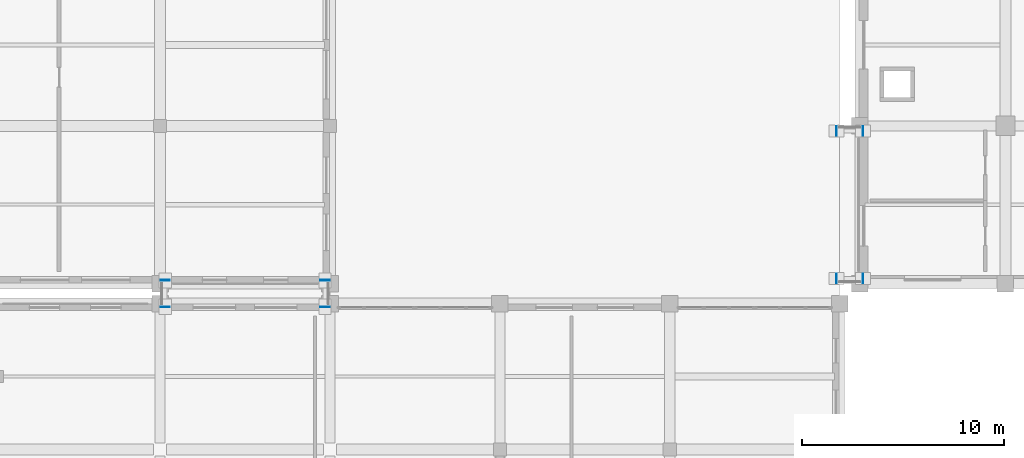
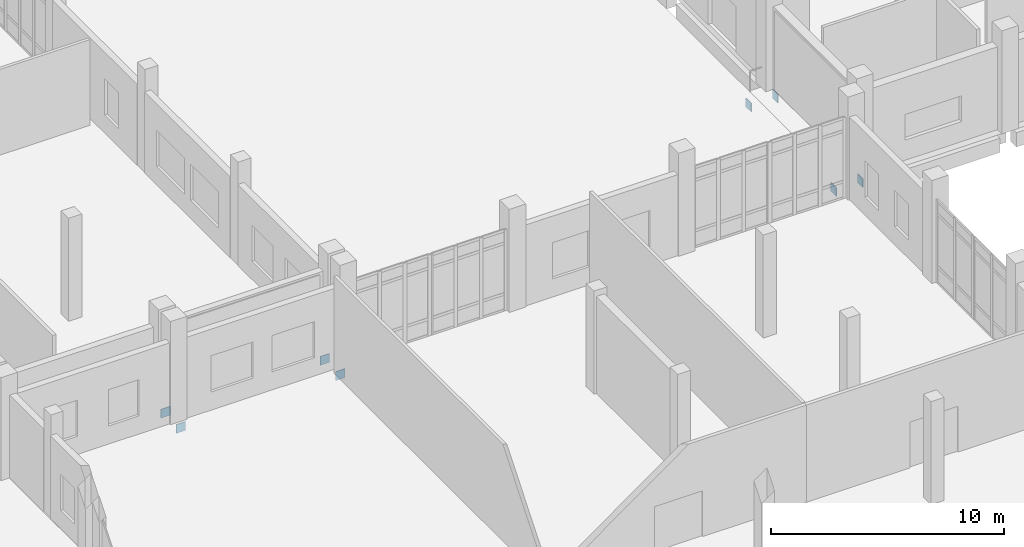
# One storey, part 64 of 79: 8 discrete accessories.
"""IFC4 building model written with IfcOpenShell, lengths in metres."""

from ifc_helpers import new_model, si_unit, direction, frame, origin, origin_2d, place, context, subcontext, project, spatial, rectangle, extrude, material, material_profile, profile_set, type_object, element, save


model = new_model("IFC4")

# Units and contexts
model_context = context("Model", 3, precision=1e-05, world=origin(), true_north=direction((0.0, 1.0)))
body_context = subcontext(model_context, "Body", "Model", "MODEL_VIEW")
ifc_project = project(units=[si_unit("LENGTHUNIT", "METRE"), si_unit("AREAUNIT", "SQUARE_METRE"), si_unit("VOLUMEUNIT", "CUBIC_METRE"), si_unit("PLANEANGLEUNIT", "RADIAN"), si_unit("MASSUNIT", "GRAM", prefix="KILO")], contexts=[model_context])

# Site, building, storey
site_placement = place(None, origin())
site = spatial("IfcSite", under=ifc_project, at=site_placement, CompositionType="ELEMENT")
building_placement = place(site_placement, origin())
building = spatial("IfcBuilding", under=site, at=building_placement, Name="Kelarvand Opera House", CompositionType="ELEMENT")
storey_placement = place(building_placement, origin())
storey = spatial("IfcBuildingStorey", under=building, at=storey_placement, Name="L00", CompositionType="ELEMENT", Elevation=0.0)

# Discrete accessories
ifc_material = material(Name="Steel S355", Category="steel")
ifc_material_profile = material_profile(ifc_material, rectangle(XDim=0.4599609375, YDim=0.4599609375, at=origin_2d()), Name="Welded Steel Hollow End-Cap Plate 460x460x24", Category="steel")
ifc_profile_set = profile_set([ifc_material_profile], Name="Steel S355")
discrete_accessory_type = type_object("IfcDiscreteAccessoryType", Name="Welded Steel Hollow End-Cap Plate 460x460x24", PredefinedType="SHOE", material=ifc_profile_set)
for number, where, z_axis, x_axis, name in (
    (1, (50.85791015625, 39.050048828125, -0.52001953125), (-1.0, 0.0, 0.0), (0.0, -1.0, 0.0), "Hollow Section Welded End Cap 21"),
    (2, (52.14208984375, 39.050048828125, -0.52001953125), (1.0, 0.0, 0.0), (0.0, 1.0, 0.0), "Hollow Section Welded End Cap 22"),
    (3, (50.85791015625, 46.35009765625, -0.52001953125), (-1.0, 0.0, 0.0), (0.0, -1.0, 0.0), "Hollow Section Welded End Cap 23"),
    (4, (52.14208984375, 46.35009765625, -0.52001953125), (1.0, 0.0, 0.0), (0.0, 1.0, 0.0), "Hollow Section Welded End Cap 24"),
    (5, (17.64990234375, 37.657958984375, -0.52001953125), (0.0, -1.0, 0.0), (1.0, 0.0, 0.0), "Hollow Section Welded End Cap 85"),
):
    element("IfcDiscreteAccessory", number, at=place(storey_placement, frame(where, z_axis=z_axis, x_axis=x_axis)), inside=storey, type_object=discrete_accessory_type, Name=name, PredefinedType="SHOE", context=body_context, shape_type="SweptSolid", body=[
        extrude(rectangle(XDim=0.4599609375, YDim=0.4599609375, at=origin_2d()), origin(), (0.0, 0.0, 1.0), 0.035888671875),
    ])
discrete_accessory_1_placement = place(storey_placement, frame((17.64990234375, 38.94189453125, -0.52001953125), z_axis=(0.0, 1.0, 0.0), x_axis=(-1.0, 0.0, 0.0)))
element("IfcDiscreteAccessory", 6, at=discrete_accessory_1_placement, inside=storey, type_object=discrete_accessory_type, Name="Hollow Section Welded End Cap 86", PredefinedType="SHOE", context=body_context, shape_type="SweptSolid", body=[
    extrude(rectangle(XDim=0.4599609375, YDim=0.4599609375, at=origin_2d()), origin(), (0.0, 0.0, 1.0), 0.0361328125),
])
discrete_accessory_2_placement = place(storey_placement, frame((25.550048828125, 37.657958984375, -0.52001953125), z_axis=(0.0, -1.0, 0.0), x_axis=(1.0, 0.0, 0.0)))
element("IfcDiscreteAccessory", 7, at=discrete_accessory_2_placement, inside=storey, type_object=discrete_accessory_type, Name="Hollow Section Welded End Cap 87", PredefinedType="SHOE", context=body_context, shape_type="SweptSolid", body=[
    extrude(rectangle(XDim=0.4599609375, YDim=0.4599609375, at=origin_2d()), origin(), (0.0, 0.0, 1.0), 0.035888671875),
])
discrete_accessory_3_placement = place(storey_placement, frame((25.550048828125, 38.94189453125, -0.52001953125), z_axis=(0.0, 1.0, 0.0), x_axis=(-1.0, 0.0, 0.0)))
element("IfcDiscreteAccessory", 8, at=discrete_accessory_3_placement, inside=storey, type_object=discrete_accessory_type, Name="Hollow Section Welded End Cap 88", PredefinedType="SHOE", context=body_context, shape_type="SweptSolid", body=[
    extrude(rectangle(XDim=0.4599609375, YDim=0.4599609375, at=origin_2d()), origin(), (0.0, 0.0, 1.0), 0.0361328125),
])

save(model, "model.ifc")
